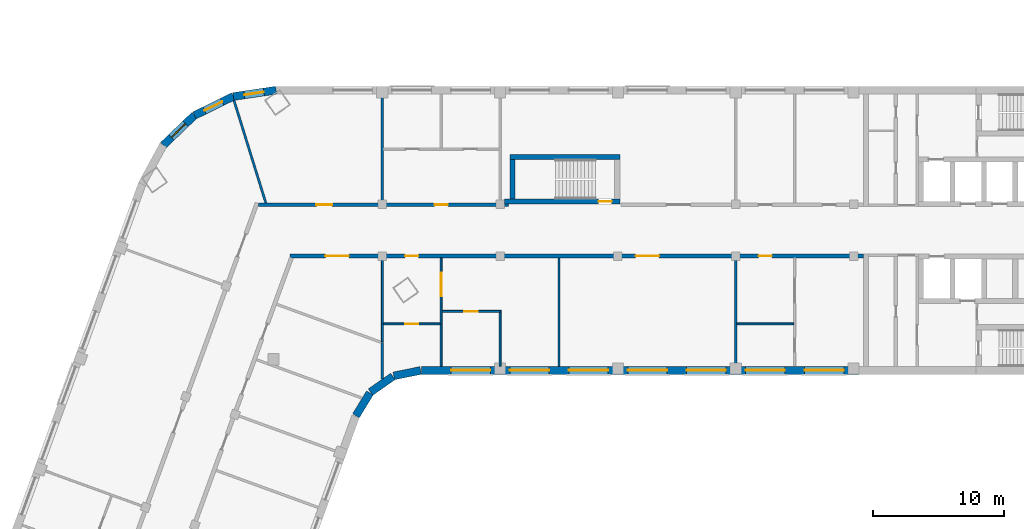
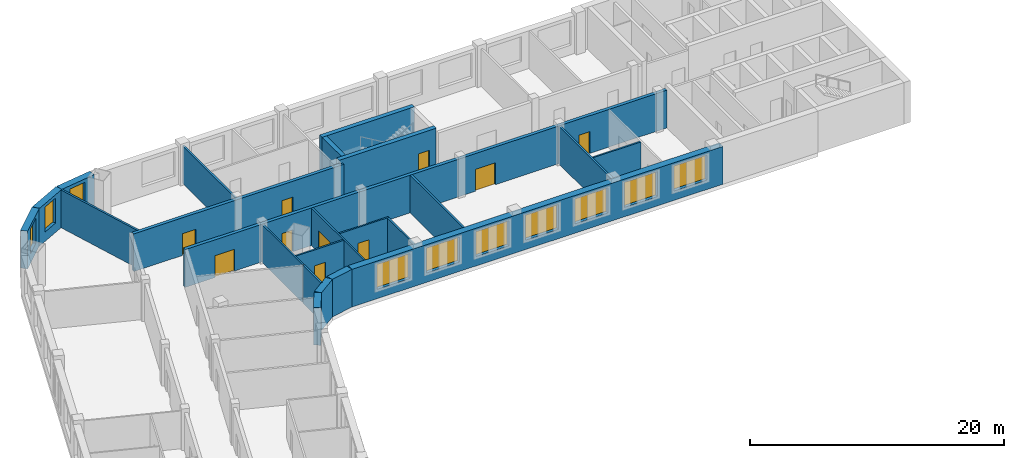
# One storey, part 4 of 10: 23 walls, 10 doors, 10 windows, 20 openings.
"""IFC4 building model written with IfcOpenShell, lengths in metres."""

from ifc_helpers import new_model, si_unit, direction, frame, frame_2d, origin, place, context, subcontext, project, spatial, rectangle, extrude, material, layer, layer_set, type_object, element, fill, save


model = new_model("IFC4")

# Units and contexts
model_context = context("Model", 3, precision=1e-05, world=origin(), true_north=direction((0.0, 1.0)))
body_context = subcontext(model_context, "Body", "Model", "MODEL_VIEW")
ifc_project = project(units=[si_unit("LENGTHUNIT", "METRE"), si_unit("AREAUNIT", "SQUARE_METRE"), si_unit("VOLUMEUNIT", "CUBIC_METRE"), si_unit("PLANEANGLEUNIT", "RADIAN"), si_unit("MASSUNIT", "GRAM", prefix="KILO")], contexts=[model_context])

# Site, building, storey
site_placement = place(None, origin())
site = spatial("IfcSite", under=ifc_project, at=site_placement, CompositionType="ELEMENT")
building_placement = place(site_placement, origin())
building = spatial("IfcBuilding", under=site, at=building_placement, Name="Skarvind Civic Tower", CompositionType="ELEMENT")
storey_placement = place(building_placement, frame((0.0, 0.0, 97.0)))
storey = spatial("IfcBuildingStorey", under=building, at=storey_placement, Name="L22", CompositionType="ELEMENT", Elevation=97.0)

# Walls
ifc_material_1 = material(Name="Acoustic gypsum board on steel studs", Category="steel")
ifc_layer_1 = layer(ifc_material_1, 0.175048828125)
ifc_layer_set_1 = layer_set([ifc_layer_1], Name="ACOUSTIC MEETING-ROOM PARTITION 175")
wall_type_1 = type_object("IfcWallType", Name="ACOUSTIC MEETING-ROOM PARTITION 175", PredefinedType="PARTITIONING", material=ifc_layer_set_1)
wall_1_placement = place(storey_placement, frame((42.919921875, 137.9208984375, 0.0), z_axis=(0.0, 0.0, 1.0), x_axis=(0.296600629622, -0.9550016055, 0.0)))
element("IfcWall", 1, at=wall_1_placement, inside=storey, type_object=wall_type_1, Name="Partition 22.011", PredefinedType="PARTITIONING", context=body_context, shape_type="SweptSolid", body=[
    extrude(rectangle(XDim=8.19677734375, YDim=0.175048828125, at=frame_2d((4.098388671875, 0.0))), origin(), (0.0, 0.0, 1.0), 3.625),
])
wall_2_placement = place(storey_placement, frame((54.25, 116.636962890625, 0.0), z_axis=(0.0, 0.0, 1.0), x_axis=(0.0, 1.0, 0.0)))
element("IfcWall", 2, at=wall_2_placement, inside=storey, type_object=wall_type_1, Name="Partition 22.017", PredefinedType="PARTITIONING", context=body_context, shape_type="SweptSolid", body=[
    extrude(rectangle(XDim=2.776123046875, YDim=0.175048828125, at=frame_2d((1.38818359375, 0.0))), origin(), (0.0, 0.0, 1.0), 3.625),
])
for number, where, z_axis, x_axis, name in (
    (3, (54.25, 138.39990234375, 0.0), (0.0, 0.0, 1.0), (0.0, -1.0, 0.0), "Partition 22.022"),
    (4, (67.75, 117.60009765625, 0.0), (0.0, 0.0, 1.0), (0.0, 1.0, 0.0), "Partition 22.028"),
    (5, (81.25, 117.60009765625, 0.0), (0.0, 0.0, 1.0), (0.0, 1.0, 0.0), "Partition 22.030"),
):
    element("IfcWall", number, at=place(storey_placement, frame(where, z_axis=z_axis, x_axis=x_axis)), inside=storey, type_object=wall_type_1, Name=name, PredefinedType="PARTITIONING", context=body_context, shape_type="SweptSolid", body=[
        extrude(rectangle(XDim=8.2998046875, YDim=0.175048828125, at=frame_2d((4.14990234375, 0.0))), origin(), (0.0, 0.0, 1.0), 3.625),
    ])

# Wall, openings, doors
ifc_material_2 = material(Name="Fire-rated gypsum board on steel studs", Category="steel")
ifc_layer_2 = layer(ifc_material_2, 0.300048828125)
ifc_layer_set_2 = layer_set([ifc_layer_2], Name="CORRIDOR WALL 300")
wall_type_2 = type_object("IfcWallType", Name="CORRIDOR WALL 300", PredefinedType="PARTITIONING", material=ifc_layer_set_2)
wall_3_placement = place(storey_placement, frame((44.784912109375, 129.949951171875, 0.0), z_axis=(0.0, 0.0, 1.0), x_axis=(1.0, 0.0, 0.0)))
wall_3 = element("IfcWall", 6, at=wall_3_placement, inside=storey, type_object=wall_type_2, Name="Partition 22.014", PredefinedType="PARTITIONING", context=body_context, shape_type="SweptSolid", body=[
    extrude(rectangle(XDim=19.114990234375, YDim=0.300048828125, at=frame_2d((9.5576171875, 0.0))), origin(), (0.0, 0.0, 1.0), 3.625),
])
opening_1_placement = place(wall_3_placement, frame((13.465087890625, 0.0, 0.0)))
opening_1 = element("IfcOpeningElement", 7, at=opening_1_placement, cuts=wall_3, Name="Opening L22-D006", PredefinedType="OPENING", context=body_context, shape_type="SweptSolid", body=[
    extrude(rectangle(XDim=1.0, YDim=2.10009765625, at=frame_2d((0.5, 1.050048828125))), frame((0.0, 0.159912109375, 0.0), z_axis=(0.0, -1.0, 0.0), x_axis=(1.0, 0.0, 0.0)), (0.0, 0.0, 1.0), 0.320068359375),
])
opening_2_placement = place(wall_3_placement, frame((4.4375, 0.0, 0.0)))
opening_2 = element("IfcOpeningElement", 8, at=opening_2_placement, cuts=wall_3, Name="Opening L22-D027", PredefinedType="OPENING", context=body_context, shape_type="SweptSolid", body=[
    extrude(rectangle(XDim=1.199951171875, YDim=2.10009765625, at=frame_2d((0.60009765625, 1.050048828125))), frame((0.0, 0.159912109375, 0.0), z_axis=(0.0, -1.0, 0.0), x_axis=(1.0, 0.0, 0.0)), (0.0, 0.0, 1.0), 0.320068359375),
])
ifc_material_3 = material(Name="Fire-rated timber door leaf", Category="wood")
door_type_1 = type_object("IfcDoorType", Name="FD1 1000x2100", OperationType="NOTDEFINED", PredefinedType="DOOR", material=ifc_material_3)
door_1_placement = place(opening_1_placement, origin())
door_1 = element("IfcDoor", 9, at=door_1_placement, inside=storey, type_object=door_type_1, Name="Door L22-D006", OperationType="SINGLE_SWING_LEFT", OverallHeight=2.10009765625, OverallWidth=1.0, PredefinedType="DOOR", context=body_context, shape_type="SweptSolid", body=[
    extrude(rectangle(XDim=1.0, YDim=2.10009765625, at=frame_2d((0.5, 1.050048828125))), frame((0.0, 0.02490234375, 0.0), z_axis=(0.0, -1.0, 0.0), x_axis=(1.0, 0.0, 0.0)), (0.0, 0.0, 1.0), 0.050048828125),
])
fill(opening_1, door_1)
door_type_2 = type_object("IfcDoorType", Name="FD6 1200x2100 DOUBLE", OperationType="NOTDEFINED", PredefinedType="DOOR", material=ifc_material_3)
door_2_placement = place(opening_2_placement, origin())
door_2 = element("IfcDoor", 10, at=door_2_placement, inside=storey, type_object=door_type_2, Name="Door L22-D027", OperationType="DOUBLE_DOOR_SINGLE_SWING", OverallHeight=2.10009765625, OverallWidth=1.199951171875, PredefinedType="DOOR", context=body_context, shape_type="SweptSolid", body=[
    extrude(rectangle(XDim=1.199951171875, YDim=2.10009765625, at=frame_2d((0.60009765625, 1.050048828125))), frame((0.0, 0.02490234375, 0.0), z_axis=(0.0, -1.0, 0.0), x_axis=(1.0, 0.0, 0.0)), (0.0, 0.0, 1.0), 0.050048828125),
])
fill(opening_2, door_2)

wall_4_placement = place(storey_placement, frame((91.0, 126.050048828125, 0.0), z_axis=(0.0, 0.0, 1.0), x_axis=(-1.0, 0.0, 0.0)))
wall_4 = element("IfcWall", 11, at=wall_4_placement, inside=storey, type_object=wall_type_2, Name="Partition 22.035", PredefinedType="PARTITIONING", context=body_context, shape_type="SweptSolid", body=[
    extrude(rectangle(XDim=43.784912109375, YDim=0.300048828125, at=frame_2d((21.892578125, 0.0))), origin(), (0.0, 0.0, 1.0), 3.625),
])
opening_3_placement = place(wall_4_placement, frame((7.0, 0.0, 0.0)))
opening_3 = element("IfcOpeningElement", 12, at=opening_3_placement, cuts=wall_4, Name="Opening L22-D007", PredefinedType="OPENING", context=body_context, shape_type="SweptSolid", body=[
    extrude(rectangle(XDim=1.0, YDim=2.10009765625, at=frame_2d((0.5, 1.050048828125))), frame((0.0, 0.159912109375, 0.0), z_axis=(0.0, -1.0, 0.0), x_axis=(1.0, 0.0, 0.0)), (0.0, 0.0, 1.0), 0.320068359375),
])
opening_4_placement = place(wall_4_placement, frame((15.60009765625, 0.0, 0.0)))
opening_4 = element("IfcOpeningElement", 13, at=opening_4_placement, cuts=wall_4, Name="Opening L22-D010", PredefinedType="OPENING", context=body_context, shape_type="SweptSolid", body=[
    extrude(rectangle(XDim=1.800048828125, YDim=2.10009765625, at=frame_2d((0.89990234375, 1.050048828125))), frame((0.0, 0.159912109375, 0.0), z_axis=(0.0, -1.0, 0.0), x_axis=(1.0, 0.0, 0.0)), (0.0, 0.0, 1.0), 0.320068359375),
])
opening_5_placement = place(wall_4_placement, frame((34.0, 0.0, 0.0)))
opening_5 = element("IfcOpeningElement", 14, at=opening_5_placement, cuts=wall_4, Name="Opening L22-D011", PredefinedType="OPENING", context=body_context, shape_type="SweptSolid", body=[
    extrude(rectangle(XDim=1.0, YDim=2.10009765625, at=frame_2d((0.5, 1.050048828125))), frame((0.0, 0.159912109375, 0.0), z_axis=(0.0, -1.0, 0.0), x_axis=(1.0, 0.0, 0.0)), (0.0, 0.0, 1.0), 0.320068359375),
])
opening_6_placement = place(wall_4_placement, frame((39.2958984375, 0.0, 0.0)))
opening_6 = element("IfcOpeningElement", 15, at=opening_6_placement, cuts=wall_4, Name="Opening L22-D028", PredefinedType="OPENING", context=body_context, shape_type="SweptSolid", body=[
    extrude(rectangle(XDim=1.800048828125, YDim=2.10009765625, at=frame_2d((0.89990234375, 1.050048828125))), frame((0.0, 0.159912109375, 0.0), z_axis=(0.0, -1.0, 0.0), x_axis=(1.0, 0.0, 0.0)), (0.0, 0.0, 1.0), 0.320068359375),
])
door_3_placement = place(opening_3_placement, origin())
door_3 = element("IfcDoor", 16, at=door_3_placement, inside=storey, type_object=door_type_1, Name="Door L22-D007", OperationType="SINGLE_SWING_RIGHT", OverallHeight=2.10009765625, OverallWidth=1.0, PredefinedType="DOOR", context=body_context, shape_type="SweptSolid", body=[
    extrude(rectangle(XDim=1.0, YDim=2.10009765625, at=frame_2d((0.5, 1.050048828125))), frame((0.0, 0.02490234375, 0.0), z_axis=(0.0, -1.0, 0.0), x_axis=(1.0, 0.0, 0.0)), (0.0, 0.0, 1.0), 0.050048828125),
])
fill(opening_3, door_3)
door_4_placement = place(opening_5_placement, origin())
door_4 = element("IfcDoor", 17, at=door_4_placement, inside=storey, type_object=door_type_1, Name="Door L22-D011", OperationType="SINGLE_SWING_LEFT", OverallHeight=2.10009765625, OverallWidth=1.0, PredefinedType="DOOR", context=body_context, shape_type="SweptSolid", body=[
    extrude(rectangle(XDim=1.0, YDim=2.10009765625, at=frame_2d((0.5, 1.050048828125))), frame((0.0, 0.02490234375, 0.0), z_axis=(0.0, -1.0, 0.0), x_axis=(1.0, 0.0, 0.0)), (0.0, 0.0, 1.0), 0.050048828125),
])
fill(opening_5, door_4)
door_type_3 = type_object("IfcDoorType", Name="FD4 1800x2100", OperationType="NOTDEFINED", PredefinedType="DOOR", material=ifc_material_3)
door_5_placement = place(opening_4_placement, origin())
door_5 = element("IfcDoor", 18, at=door_5_placement, inside=storey, type_object=door_type_3, Name="Door L22-D010", OperationType="DOUBLE_DOOR_SINGLE_SWING", OverallHeight=2.10009765625, OverallWidth=1.800048828125, PredefinedType="DOOR", context=body_context, shape_type="SweptSolid", body=[
    extrude(rectangle(XDim=1.800048828125, YDim=2.10009765625, at=frame_2d((0.89990234375, 1.050048828125))), frame((0.0, 0.02490234375, 0.0), z_axis=(0.0, -1.0, 0.0), x_axis=(1.0, 0.0, 0.0)), (0.0, 0.0, 1.0), 0.050048828125),
])
fill(opening_4, door_5)
door_6_placement = place(opening_6_placement, origin())
door_6 = element("IfcDoor", 19, at=door_6_placement, inside=storey, type_object=door_type_3, Name="Door L22-D028", OperationType="DOUBLE_DOOR_SINGLE_SWING", OverallHeight=2.10009765625, OverallWidth=1.800048828125, PredefinedType="DOOR", context=body_context, shape_type="SweptSolid", body=[
    extrude(rectangle(XDim=1.800048828125, YDim=2.10009765625, at=frame_2d((0.89990234375, 1.050048828125))), frame((0.0, 0.02490234375, 0.0), z_axis=(0.0, -1.0, 0.0), x_axis=(1.0, 0.0, 0.0)), (0.0, 0.0, 1.0), 0.050048828125),
])
fill(opening_6, door_6)

# Wall, opening, door
ifc_material_4 = material(Name="Concrete C80", Category="concrete")
ifc_layer_3 = layer(ifc_material_4, 0.39990234375)
ifc_layer_set_3 = layer_set([ifc_layer_3], Name="Core wall 400 C80")
wall_type_3 = type_object("IfcWallType", Name="Core wall 400 C80", PredefinedType="SHEAR", material=ifc_layer_set_3)
wall_5_placement = place(storey_placement, frame((63.574951171875, 130.199951171875, 0.0), z_axis=(0.0, 0.0, 1.0), x_axis=(1.0, 0.0, 0.0)))
wall_5 = element("IfcWall", 20, at=wall_5_placement, inside=storey, type_object=wall_type_3, Name="Core wall CM inner L22", PredefinedType="SHEAR", context=body_context, shape_type="SweptSolid", body=[
    extrude(rectangle(XDim=8.824951171875, YDim=0.39990234375, at=frame_2d((4.41259765625, 0.0))), origin(), (0.0, 0.0, 1.0), 4.0),
])
opening_7_placement = place(wall_5_placement, frame((7.199951171875, 0.0, 0.0)))
opening_7 = element("IfcOpeningElement", 21, at=opening_7_placement, cuts=wall_5, Name="Opening D-L22-CM-01", PredefinedType="OPENING", context=body_context, shape_type="SweptSolid", body=[
    extrude(rectangle(XDim=1.0, YDim=2.10009765625, at=frame_2d((0.5, 1.050048828125))), frame((0.0, 0.2099609375, 0.0), z_axis=(0.0, -1.0, 0.0), x_axis=(1.0, 0.0, 0.0)), (0.0, 0.0, 1.0), 0.419921875),
])
ifc_material_5 = material(Name="Fire-rated steel door", Category="steel")
door_type_4 = type_object("IfcDoorType", Name="Fire door 1000", OperationType="NOTDEFINED", PredefinedType="DOOR", material=ifc_material_5)
door_7_placement = place(opening_7_placement, origin())
door_7 = element("IfcDoor", 22, at=door_7_placement, inside=storey, type_object=door_type_4, Name="Fire door", OperationType="SINGLE_SWING_LEFT", OverallHeight=2.10009765625, OverallWidth=1.0, PredefinedType="DOOR", context=body_context, shape_type="SweptSolid", body=[
    extrude(rectangle(XDim=1.0, YDim=2.10009765625, at=frame_2d((0.5, 1.050048828125))), frame((0.0, 0.02490234375, 0.0), z_axis=(0.0, -1.0, 0.0), x_axis=(1.0, 0.0, 0.0)), (0.0, 0.0, 1.0), 0.050048828125),
])
fill(opening_7, door_7)

# Walls
wall_6_placement = place(storey_placement, frame((64.0, 133.60009765625, 0.0), z_axis=(0.0, 0.0, 1.0), x_axis=(1.0, 0.0, 0.0)))
element("IfcWall", 23, at=wall_6_placement, inside=storey, type_object=wall_type_3, Name="Core wall CM outer L22", PredefinedType="SHEAR", context=body_context, shape_type="SweptSolid", body=[
    extrude(rectangle(XDim=8.39990234375, YDim=0.39990234375, at=frame_2d((4.199951171875, 0.0))), origin(), (0.0, 0.0, 1.0), 4.0),
])
wall_7_placement = place(storey_placement, frame((64.199951171875, 130.39990234375, 0.0), z_axis=(0.0, 0.0, 1.0), x_axis=(0.0, 1.0, 0.0)))
element("IfcWall", 24, at=wall_7_placement, inside=storey, type_object=wall_type_3, Name="Core wall CM west L22", PredefinedType="SHEAR", context=body_context, shape_type="SweptSolid", body=[
    extrude(rectangle(XDim=3.0, YDim=0.39990234375, at=frame_2d((1.5, 0.0))), origin(), (0.0, 0.0, 1.0), 4.0),
])
ifc_material_6 = material(Name="Plasterboard partition on steel studs", Category="steel")
ifc_layer_4 = layer(ifc_material_6, 0.14990234375)
ifc_layer_set_4 = layer_set([ifc_layer_4], Name="PARTITION 150")
wall_type_4 = type_object("IfcWallType", Name="PARTITION 150", PredefinedType="PARTITIONING", material=ifc_layer_set_4)
wall_8_placement = place(storey_placement, frame((54.25, 119.498046875, 0.0), z_axis=(0.0, 0.0, 1.0), x_axis=(0.0, 1.0, 0.0)))
element("IfcWall", 25, at=wall_8_placement, inside=storey, type_object=wall_type_4, Name="Partition 22.019", PredefinedType="PARTITIONING", context=body_context, shape_type="SweptSolid", body=[
    extrude(rectangle(XDim=6.40185546875, YDim=0.14990234375, at=frame_2d((3.200927734375, 0.0))), origin(), (0.0, 0.0, 1.0), 3.625),
])

# Wall, opening, door
wall_9_placement = place(storey_placement, frame((54.324951171875, 120.85009765625, 0.0), z_axis=(0.0, 0.0, 1.0), x_axis=(1.0, 0.0, 0.0)))
wall_9 = element("IfcWall", 26, at=wall_9_placement, inside=storey, type_object=wall_type_4, Name="Partition 22.020", PredefinedType="PARTITIONING", context=body_context, shape_type="SweptSolid", body=[
    extrude(rectangle(XDim=4.35009765625, YDim=0.14990234375, at=frame_2d((2.175048828125, 0.0))), origin(), (0.0, 0.0, 1.0), 3.625),
])
opening_8_placement = place(wall_9_placement, frame((1.675048828125, 0.0, 0.0)))
opening_8 = element("IfcOpeningElement", 27, at=opening_8_placement, cuts=wall_9, Name="Opening L22-D013", PredefinedType="OPENING", context=body_context, shape_type="SweptSolid", body=[
    extrude(rectangle(XDim=1.0, YDim=2.10009765625, at=frame_2d((0.5, 1.050048828125))), frame((0.0, 0.0849609375, 0.0), z_axis=(0.0, -1.0, 0.0), x_axis=(1.0, 0.0, 0.0)), (0.0, 0.0, 1.0), 0.169921875),
])
ifc_material_7 = material(Name="Timber door leaf", Category="wood")
door_type_5 = type_object("IfcDoorType", Name="D1 1000x2100", OperationType="NOTDEFINED", PredefinedType="DOOR", material=ifc_material_7)
door_8_placement = place(opening_8_placement, origin())
door_8 = element("IfcDoor", 28, at=door_8_placement, inside=storey, type_object=door_type_5, Name="Door L22-D013", OperationType="SINGLE_SWING_LEFT", OverallHeight=2.10009765625, OverallWidth=1.0, PredefinedType="DOOR", context=body_context, shape_type="SweptSolid", body=[
    extrude(rectangle(XDim=1.0, YDim=2.10009765625, at=frame_2d((0.5, 1.050048828125))), frame((0.0, 0.02490234375, 0.0), z_axis=(0.0, -1.0, 0.0), x_axis=(1.0, 0.0, 0.0)), (0.0, 0.0, 1.0), 0.050048828125),
])
fill(opening_8, door_8)

wall_10_placement = place(storey_placement, frame((58.75, 117.60009765625, 0.0), z_axis=(0.0, 0.0, 1.0), x_axis=(0.0, 1.0, 0.0)))
wall_10 = element("IfcWall", 29, at=wall_10_placement, inside=storey, type_object=wall_type_4, Name="Partition 22.023", PredefinedType="PARTITIONING", context=body_context, shape_type="SweptSolid", body=[
    extrude(rectangle(XDim=8.2998046875, YDim=0.14990234375, at=frame_2d((4.14990234375, 0.0))), origin(), (0.0, 0.0, 1.0), 3.625),
])
opening_9_placement = place(wall_10_placement, frame((5.360107421875, 0.0, 0.0)))
opening_9 = element("IfcOpeningElement", 30, at=opening_9_placement, cuts=wall_10, Name="Opening L22-D014", PredefinedType="OPENING", context=body_context, shape_type="SweptSolid", body=[
    extrude(rectangle(XDim=1.800048828125, YDim=2.10009765625, at=frame_2d((0.89990234375, 1.050048828125))), frame((0.0, 0.0849609375, 0.0), z_axis=(0.0, -1.0, 0.0), x_axis=(1.0, 0.0, 0.0)), (0.0, 0.0, 1.0), 0.169921875),
])
door_type_6 = type_object("IfcDoorType", Name="D4 1800x2100", OperationType="NOTDEFINED", PredefinedType="DOOR", material=ifc_material_7)
door_9_placement = place(opening_9_placement, origin())
door_9 = element("IfcDoor", 31, at=door_9_placement, inside=storey, type_object=door_type_6, Name="Door L22-D014", OperationType="DOUBLE_DOOR_SINGLE_SWING", OverallHeight=2.10009765625, OverallWidth=1.800048828125, PredefinedType="DOOR", context=body_context, shape_type="SweptSolid", body=[
    extrude(rectangle(XDim=1.800048828125, YDim=2.10009765625, at=frame_2d((0.89990234375, 1.050048828125))), frame((0.0, 0.02490234375, 0.0), z_axis=(0.0, -1.0, 0.0), x_axis=(1.0, 0.0, 0.0)), (0.0, 0.0, 1.0), 0.050048828125),
])
fill(opening_9, door_9)

# Wall
wall_11_placement = place(storey_placement, frame((63.25, 117.60009765625, 0.0), z_axis=(0.0, 0.0, 1.0), x_axis=(0.0, 1.0, 0.0)))
element("IfcWall", 32, at=wall_11_placement, inside=storey, type_object=wall_type_4, Name="Partition 22.025", PredefinedType="PARTITIONING", context=body_context, shape_type="SweptSolid", body=[
    extrude(rectangle(XDim=4.125, YDim=0.14990234375, at=frame_2d((2.0625, 0.0))), origin(), (0.0, 0.0, 1.0), 3.625),
])

# Wall, opening, door
wall_12_placement = place(storey_placement, frame((58.824951171875, 121.800048828125, 0.0), z_axis=(0.0, 0.0, 1.0), x_axis=(1.0, 0.0, 0.0)))
wall_12 = element("IfcWall", 33, at=wall_12_placement, inside=storey, type_object=wall_type_4, Name="Partition 22.026", PredefinedType="PARTITIONING", context=body_context, shape_type="SweptSolid", body=[
    extrude(rectangle(XDim=4.5, YDim=0.14990234375, at=frame_2d((2.25, 0.0))), origin(), (0.0, 0.0, 1.0), 3.625),
])
opening_10_placement = place(wall_12_placement, frame((1.702392578125, 0.0, 0.0)))
opening_10 = element("IfcOpeningElement", 34, at=opening_10_placement, cuts=wall_12, Name="Opening L22-D012", PredefinedType="OPENING", context=body_context, shape_type="SweptSolid", body=[
    extrude(rectangle(XDim=1.0, YDim=2.10009765625, at=frame_2d((0.5, 1.050048828125))), frame((0.0, 0.0849609375, 0.0), z_axis=(0.0, -1.0, 0.0), x_axis=(1.0, 0.0, 0.0)), (0.0, 0.0, 1.0), 0.169921875),
])
door_10_placement = place(opening_10_placement, origin())
door_10 = element("IfcDoor", 35, at=door_10_placement, inside=storey, type_object=door_type_5, Name="Door L22-D012", OperationType="SINGLE_SWING_LEFT", OverallHeight=2.10009765625, OverallWidth=1.0, PredefinedType="DOOR", context=body_context, shape_type="SweptSolid", body=[
    extrude(rectangle(XDim=1.0, YDim=2.10009765625, at=frame_2d((0.5, 1.050048828125))), frame((0.0, 0.02490234375, 0.0), z_axis=(0.0, -1.0, 0.0), x_axis=(1.0, 0.0, 0.0)), (0.0, 0.0, 1.0), 0.050048828125),
])
fill(opening_10, door_10)

# Walls
wall_13_placement = place(storey_placement, frame((81.337890625, 120.85009765625, 0.0), z_axis=(0.0, 0.0, 1.0), x_axis=(1.0, 0.0, 0.0)))
element("IfcWall", 36, at=wall_13_placement, inside=storey, type_object=wall_type_4, Name="Partition 22.031", PredefinedType="PARTITIONING", context=body_context, shape_type="SweptSolid", body=[
    extrude(rectangle(XDim=4.337158203125, YDim=0.14990234375, at=frame_2d((2.16845703125, 0.0))), origin(), (0.0, 0.0, 1.0), 3.625),
])
ifc_material_8 = material(Name="Limestone masonry cladding on insulated backing", Category="masonry")
ifc_layer_5 = layer(ifc_material_8, 0.60009765625)
ifc_layer_set_5 = layer_set([ifc_layer_5], Name="WX1 STONE FACADE WALL 600")
wall_type_5 = type_object("IfcWallType", Name="WX1 STONE FACADE WALL 600", PredefinedType="SOLIDWALL", material=ifc_layer_set_5)
wall_14_placement = place(storey_placement, frame((53.30517578125, 115.578369140625, 0.0), z_axis=(0.0, 0.0, 1.0), x_axis=(-0.522402266438, -0.852699168535, 0.0)))
element("IfcWall", 37, at=wall_14_placement, inside=storey, type_object=wall_type_5, Name="STONE FACADE WALL", PredefinedType="SOLIDWALL", context=body_context, shape_type="SweptSolid", body=[
    extrude(rectangle(XDim=2.042236328125, YDim=0.60009765625, at=frame_2d((1.02099609375, 0.0))), origin(), (0.0, 0.0, 1.0), 3.625),
])
for number, where, z_axis, x_axis, name in (
    (38, (55.061767578125, 116.8388671875, 0.0), (0.0, 0.0, 1.0), (-0.819122269495, -0.573618956815, 0.0), "STONE FACADE WALL"),
    (39, (57.17529296875, 117.2939453125, 0.0), (0.0, 0.0, 1.0), (-0.97996099083, -0.19918949885, 0.0), "STONE FACADE WALL"),
):
    element("IfcWall", number, at=place(storey_placement, frame(where, z_axis=z_axis, x_axis=x_axis)), inside=storey, type_object=wall_type_5, Name=name, PredefinedType="SOLIDWALL", context=body_context, shape_type="SweptSolid", body=[
        extrude(rectangle(XDim=2.09228515625, YDim=0.60009765625, at=frame_2d((1.046142578125, 0.0))), origin(), (0.0, 0.0, 1.0), 3.625),
    ])

# Wall, openings, windows
wall_15_placement = place(storey_placement, frame((90.97998046875, 117.300048828125, 0.0), z_axis=(0.0, 0.0, 1.0), x_axis=(-1.0, 0.0, 0.0)))
wall_15 = element("IfcWall", 40, at=wall_15_placement, inside=storey, type_object=wall_type_5, Name="STONE FACADE WALL", PredefinedType="SOLIDWALL", context=body_context, shape_type="SweptSolid", body=[
    extrude(rectangle(XDim=33.744873046875, YDim=0.60009765625, at=frame_2d((16.87255859375, 0.0))), origin(), (0.0, 0.0, 1.0), 3.625),
])
opening_11_placement = place(wall_15_placement, frame((1.47998046875, 0.0, 0.89990234375)))
opening_11 = element("IfcOpeningElement", 41, at=opening_11_placement, cuts=wall_15, Name="Opening WN1", PredefinedType="OPENING", context=body_context, shape_type="SweptSolid", body=[
    extrude(rectangle(XDim=3.0, YDim=2.39990234375, at=frame_2d((1.5, 1.199951171875))), frame((0.0, 0.31005859375, 0.0), z_axis=(0.0, -1.0, 0.0), x_axis=(1.0, 0.0, 0.0)), (0.0, 0.0, 1.0), 0.6201171875),
])
opening_12_placement = place(wall_15_placement, frame((5.97998046875, 0.0, 0.89990234375)))
opening_12 = element("IfcOpeningElement", 42, at=opening_12_placement, cuts=wall_15, Name="Opening WN1", PredefinedType="OPENING", context=body_context, shape_type="SweptSolid", body=[
    extrude(rectangle(XDim=3.0, YDim=2.39990234375, at=frame_2d((1.5, 1.199951171875))), frame((0.0, 0.31005859375, 0.0), z_axis=(0.0, -1.0, 0.0), x_axis=(1.0, 0.0, 0.0)), (0.0, 0.0, 1.0), 0.6201171875),
])
opening_13_placement = place(wall_15_placement, frame((10.47998046875, 0.0, 0.89990234375)))
opening_13 = element("IfcOpeningElement", 43, at=opening_13_placement, cuts=wall_15, Name="Opening WN1", PredefinedType="OPENING", context=body_context, shape_type="SweptSolid", body=[
    extrude(rectangle(XDim=3.0, YDim=2.39990234375, at=frame_2d((1.5, 1.199951171875))), frame((0.0, 0.31005859375, 0.0), z_axis=(0.0, -1.0, 0.0), x_axis=(1.0, 0.0, 0.0)), (0.0, 0.0, 1.0), 0.6201171875),
])
opening_14_placement = place(wall_15_placement, frame((14.97998046875, 0.0, 0.89990234375)))
opening_14 = element("IfcOpeningElement", 44, at=opening_14_placement, cuts=wall_15, Name="Opening WN1", PredefinedType="OPENING", context=body_context, shape_type="SweptSolid", body=[
    extrude(rectangle(XDim=3.0, YDim=2.39990234375, at=frame_2d((1.5, 1.199951171875))), frame((0.0, 0.31005859375, 0.0), z_axis=(0.0, -1.0, 0.0), x_axis=(1.0, 0.0, 0.0)), (0.0, 0.0, 1.0), 0.6201171875),
])
opening_15_placement = place(wall_15_placement, frame((19.47998046875, 0.0, 0.89990234375)))
opening_15 = element("IfcOpeningElement", 45, at=opening_15_placement, cuts=wall_15, Name="Opening WN1", PredefinedType="OPENING", context=body_context, shape_type="SweptSolid", body=[
    extrude(rectangle(XDim=3.0, YDim=2.39990234375, at=frame_2d((1.5, 1.199951171875))), frame((0.0, 0.31005859375, 0.0), z_axis=(0.0, -1.0, 0.0), x_axis=(1.0, 0.0, 0.0)), (0.0, 0.0, 1.0), 0.6201171875),
])
opening_16_placement = place(wall_15_placement, frame((23.97998046875, 0.0, 0.89990234375)))
opening_16 = element("IfcOpeningElement", 46, at=opening_16_placement, cuts=wall_15, Name="Opening WN1", PredefinedType="OPENING", context=body_context, shape_type="SweptSolid", body=[
    extrude(rectangle(XDim=3.0, YDim=2.39990234375, at=frame_2d((1.5, 1.199951171875))), frame((0.0, 0.31005859375, 0.0), z_axis=(0.0, -1.0, 0.0), x_axis=(1.0, 0.0, 0.0)), (0.0, 0.0, 1.0), 0.6201171875),
])
opening_17_placement = place(wall_15_placement, frame((28.47998046875, 0.0, 0.89990234375)))
opening_17 = element("IfcOpeningElement", 47, at=opening_17_placement, cuts=wall_15, Name="Opening WN1", PredefinedType="OPENING", context=body_context, shape_type="SweptSolid", body=[
    extrude(rectangle(XDim=3.0, YDim=2.39990234375, at=frame_2d((1.5, 1.199951171875))), frame((0.0, 0.31005859375, 0.0), z_axis=(0.0, -1.0, 0.0), x_axis=(1.0, 0.0, 0.0)), (0.0, 0.0, 1.0), 0.6201171875),
])
ifc_material_9 = material(Name="Timber frame, double glazing, timber-lined reveal", Category="wood")
window_type_1 = type_object("IfcWindowType", Name="WN1 PUNCHED STONE WINDOW 3000 x 2400", PartitioningType="SINGLE_PANEL", PredefinedType="WINDOW", material=ifc_material_9)
window_1_placement = place(opening_11_placement, origin())
window_1 = element("IfcWindow", 48, at=window_1_placement, inside=storey, type_object=window_type_1, Name="WN1 WINDOW", OverallHeight=2.39990234375, OverallWidth=3.0, PartitioningType="SINGLE_PANEL", PredefinedType="WINDOW", context=body_context, shape_type="SweptSolid", body=[
    extrude(rectangle(XDim=3.0, YDim=2.39990234375, at=frame_2d((1.5, 1.199951171875))), frame((0.0, 0.030029296875, 0.0), z_axis=(0.0, -1.0, 0.0), x_axis=(1.0, 0.0, 0.0)), (0.0, 0.0, 1.0), 0.06005859375),
])
fill(opening_11, window_1)
window_2_placement = place(opening_12_placement, origin())
window_2 = element("IfcWindow", 49, at=window_2_placement, inside=storey, type_object=window_type_1, Name="WN1 WINDOW", OverallHeight=2.39990234375, OverallWidth=3.0, PartitioningType="SINGLE_PANEL", PredefinedType="WINDOW", context=body_context, shape_type="SweptSolid", body=[
    extrude(rectangle(XDim=3.0, YDim=2.39990234375, at=frame_2d((1.5, 1.199951171875))), frame((0.0, 0.030029296875, 0.0), z_axis=(0.0, -1.0, 0.0), x_axis=(1.0, 0.0, 0.0)), (0.0, 0.0, 1.0), 0.06005859375),
])
fill(opening_12, window_2)
window_3_placement = place(opening_13_placement, origin())
window_3 = element("IfcWindow", 50, at=window_3_placement, inside=storey, type_object=window_type_1, Name="WN1 WINDOW", OverallHeight=2.39990234375, OverallWidth=3.0, PartitioningType="SINGLE_PANEL", PredefinedType="WINDOW", context=body_context, shape_type="SweptSolid", body=[
    extrude(rectangle(XDim=3.0, YDim=2.39990234375, at=frame_2d((1.5, 1.199951171875))), frame((0.0, 0.030029296875, 0.0), z_axis=(0.0, -1.0, 0.0), x_axis=(1.0, 0.0, 0.0)), (0.0, 0.0, 1.0), 0.06005859375),
])
fill(opening_13, window_3)
window_4_placement = place(opening_14_placement, origin())
window_4 = element("IfcWindow", 51, at=window_4_placement, inside=storey, type_object=window_type_1, Name="WN1 WINDOW", OverallHeight=2.39990234375, OverallWidth=3.0, PartitioningType="SINGLE_PANEL", PredefinedType="WINDOW", context=body_context, shape_type="SweptSolid", body=[
    extrude(rectangle(XDim=3.0, YDim=2.39990234375, at=frame_2d((1.5, 1.199951171875))), frame((0.0, 0.030029296875, 0.0), z_axis=(0.0, -1.0, 0.0), x_axis=(1.0, 0.0, 0.0)), (0.0, 0.0, 1.0), 0.06005859375),
])
fill(opening_14, window_4)
window_5_placement = place(opening_15_placement, origin())
window_5 = element("IfcWindow", 52, at=window_5_placement, inside=storey, type_object=window_type_1, Name="WN1 WINDOW", OverallHeight=2.39990234375, OverallWidth=3.0, PartitioningType="SINGLE_PANEL", PredefinedType="WINDOW", context=body_context, shape_type="SweptSolid", body=[
    extrude(rectangle(XDim=3.0, YDim=2.39990234375, at=frame_2d((1.5, 1.199951171875))), frame((0.0, 0.030029296875, 0.0), z_axis=(0.0, -1.0, 0.0), x_axis=(1.0, 0.0, 0.0)), (0.0, 0.0, 1.0), 0.06005859375),
])
fill(opening_15, window_5)
window_6_placement = place(opening_16_placement, origin())
window_6 = element("IfcWindow", 53, at=window_6_placement, inside=storey, type_object=window_type_1, Name="WN1 WINDOW", OverallHeight=2.39990234375, OverallWidth=3.0, PartitioningType="SINGLE_PANEL", PredefinedType="WINDOW", context=body_context, shape_type="SweptSolid", body=[
    extrude(rectangle(XDim=3.0, YDim=2.39990234375, at=frame_2d((1.5, 1.199951171875))), frame((0.0, 0.030029296875, 0.0), z_axis=(0.0, -1.0, 0.0), x_axis=(1.0, 0.0, 0.0)), (0.0, 0.0, 1.0), 0.06005859375),
])
fill(opening_16, window_6)
window_7_placement = place(opening_17_placement, origin())
window_7 = element("IfcWindow", 54, at=window_7_placement, inside=storey, type_object=window_type_1, Name="WN1 WINDOW", OverallHeight=2.39990234375, OverallWidth=3.0, PartitioningType="SINGLE_PANEL", PredefinedType="WINDOW", context=body_context, shape_type="SweptSolid", body=[
    extrude(rectangle(XDim=3.0, YDim=2.39990234375, at=frame_2d((1.5, 1.199951171875))), frame((0.0, 0.030029296875, 0.0), z_axis=(0.0, -1.0, 0.0), x_axis=(1.0, 0.0, 0.0)), (0.0, 0.0, 1.0), 0.06005859375),
])
fill(opening_17, window_7)

# Wall, opening, window
wall_16_placement = place(storey_placement, frame((42.872802734375, 138.21728515625, 0.0), z_axis=(0.0, 0.0, 1.0), x_axis=(0.989110792192, 0.14717282619, 0.0)))
wall_16 = element("IfcWall", 55, at=wall_16_placement, inside=storey, type_object=wall_type_5, Name="STONE FACADE WALL", PredefinedType="SOLIDWALL", context=body_context, shape_type="SweptSolid", body=[
    extrude(rectangle(XDim=3.302734375, YDim=0.60009765625, at=frame_2d((1.6513671875, 0.0))), origin(), (0.0, 0.0, 1.0), 3.625),
])
opening_18_placement = place(wall_16_placement, frame((0.8564453125, 0.0, 0.89990234375)))
opening_18 = element("IfcOpeningElement", 56, at=opening_18_placement, cuts=wall_16, Name="Opening WN8", PredefinedType="OPENING", context=body_context, shape_type="SweptSolid", body=[
    extrude(rectangle(XDim=1.5, YDim=2.39990234375, at=frame_2d((0.75, 1.199951171875))), frame((0.0, 0.31005859375, 0.0), z_axis=(0.0, -1.0, 0.0), x_axis=(1.0, 0.0, 0.0)), (0.0, 0.0, 1.0), 0.6201171875),
])
window_type_2 = type_object("IfcWindowType", Name="WN8 ARC BAY WINDOW 1500 x 2400", PartitioningType="SINGLE_PANEL", PredefinedType="WINDOW", material=ifc_material_9)
window_8_placement = place(opening_18_placement, origin())
window_8 = element("IfcWindow", 57, at=window_8_placement, inside=storey, type_object=window_type_2, Name="WN8 WINDOW", OverallHeight=2.39990234375, OverallWidth=1.5, PartitioningType="SINGLE_PANEL", PredefinedType="WINDOW", context=body_context, shape_type="SweptSolid", body=[
    extrude(rectangle(XDim=1.5, YDim=2.39990234375, at=frame_2d((0.75, 1.199951171875))), frame((0.0, 0.030029296875, 0.0), z_axis=(0.0, -1.0, 0.0), x_axis=(1.0, 0.0, 0.0)), (0.0, 0.0, 1.0), 0.06005859375),
])
fill(opening_18, window_8)

wall_17_placement = place(storey_placement, frame((39.9072265625, 136.77587890625, 0.0), z_axis=(0.0, 0.0, 1.0), x_axis=(0.89761231107, 0.440785819889, 0.0)))
wall_17 = element("IfcWall", 58, at=wall_17_placement, inside=storey, type_object=wall_type_5, Name="STONE FACADE WALL", PredefinedType="SOLIDWALL", context=body_context, shape_type="SweptSolid", body=[
    extrude(rectangle(XDim=3.302734375, YDim=0.60009765625, at=frame_2d((1.6513671875, 0.0))), origin(), (0.0, 0.0, 1.0), 3.625),
])
opening_19_placement = place(wall_17_placement, frame((0.8564453125, 0.0, 0.89990234375)))
opening_19 = element("IfcOpeningElement", 59, at=opening_19_placement, cuts=wall_17, Name="Opening WN8", PredefinedType="OPENING", context=body_context, shape_type="SweptSolid", body=[
    extrude(rectangle(XDim=1.5, YDim=2.39990234375, at=frame_2d((0.75, 1.199951171875))), frame((0.0, 0.31005859375, 0.0), z_axis=(0.0, -1.0, 0.0), x_axis=(1.0, 0.0, 0.0)), (0.0, 0.0, 1.0), 0.6201171875),
])
window_9_placement = place(opening_19_placement, origin())
window_9 = element("IfcWindow", 60, at=window_9_placement, inside=storey, type_object=window_type_2, Name="WN8 WINDOW", OverallHeight=2.39990234375, OverallWidth=1.5, PartitioningType="SINGLE_PANEL", PredefinedType="WINDOW", context=body_context, shape_type="SweptSolid", body=[
    extrude(rectangle(XDim=1.5, YDim=2.39990234375, at=frame_2d((0.75, 1.199951171875))), frame((0.0, 0.030029296875, 0.0), z_axis=(0.0, -1.0, 0.0), x_axis=(1.0, 0.0, 0.0)), (0.0, 0.0, 1.0), 0.06005859375),
])
fill(opening_19, window_9)

wall_18_placement = place(storey_placement, frame((37.520263671875, 134.501220703125, 0.0), z_axis=(0.0, 0.0, 1.0), x_axis=(0.72115684486, 0.692771827596, 0.0)))
wall_18 = element("IfcWall", 61, at=wall_18_placement, inside=storey, type_object=wall_type_5, Name="STONE FACADE WALL", PredefinedType="SOLIDWALL", context=body_context, shape_type="SweptSolid", body=[
    extrude(rectangle(XDim=3.302734375, YDim=0.60009765625, at=frame_2d((1.6513671875, 0.0))), origin(), (0.0, 0.0, 1.0), 3.625),
])
opening_20_placement = place(wall_18_placement, frame((0.8564453125, 0.0, 0.89990234375)))
opening_20 = element("IfcOpeningElement", 62, at=opening_20_placement, cuts=wall_18, Name="Opening WN8", PredefinedType="OPENING", context=body_context, shape_type="SweptSolid", body=[
    extrude(rectangle(XDim=1.5, YDim=2.39990234375, at=frame_2d((0.75, 1.199951171875))), frame((0.0, 0.31005859375, 0.0), z_axis=(0.0, -1.0, 0.0), x_axis=(1.0, 0.0, 0.0)), (0.0, 0.0, 1.0), 0.6201171875),
])
window_10_placement = place(opening_20_placement, origin())
window_10 = element("IfcWindow", 63, at=window_10_placement, inside=storey, type_object=window_type_2, Name="WN8 WINDOW", OverallHeight=2.39990234375, OverallWidth=1.5, PartitioningType="SINGLE_PANEL", PredefinedType="WINDOW", context=body_context, shape_type="SweptSolid", body=[
    extrude(rectangle(XDim=1.5, YDim=2.39990234375, at=frame_2d((0.75, 1.199951171875))), frame((0.0, 0.030029296875, 0.0), z_axis=(0.0, -1.0, 0.0), x_axis=(1.0, 0.0, 0.0)), (0.0, 0.0, 1.0), 0.06005859375),
])
fill(opening_20, window_10)

save(model, "model.ifc")
